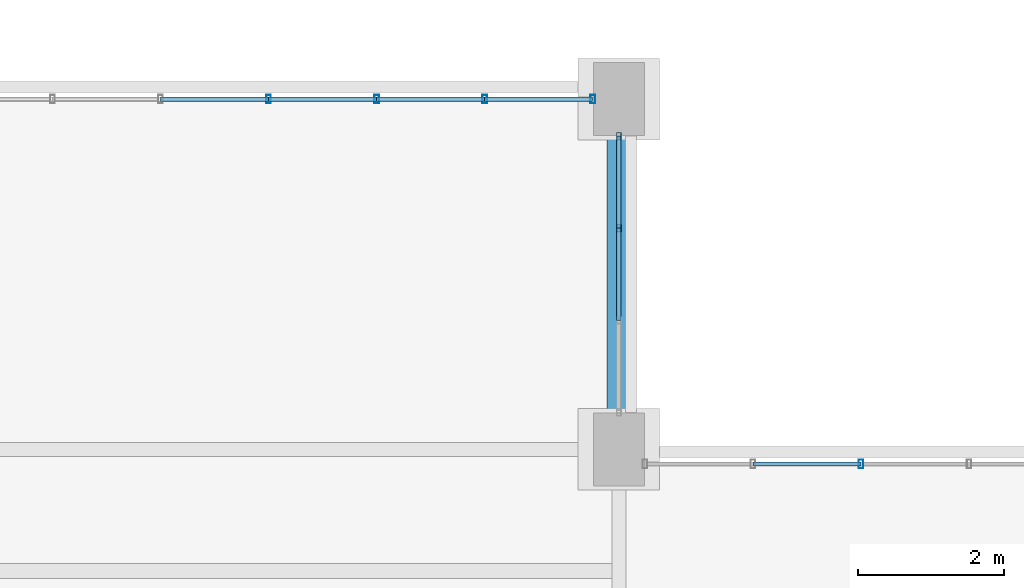
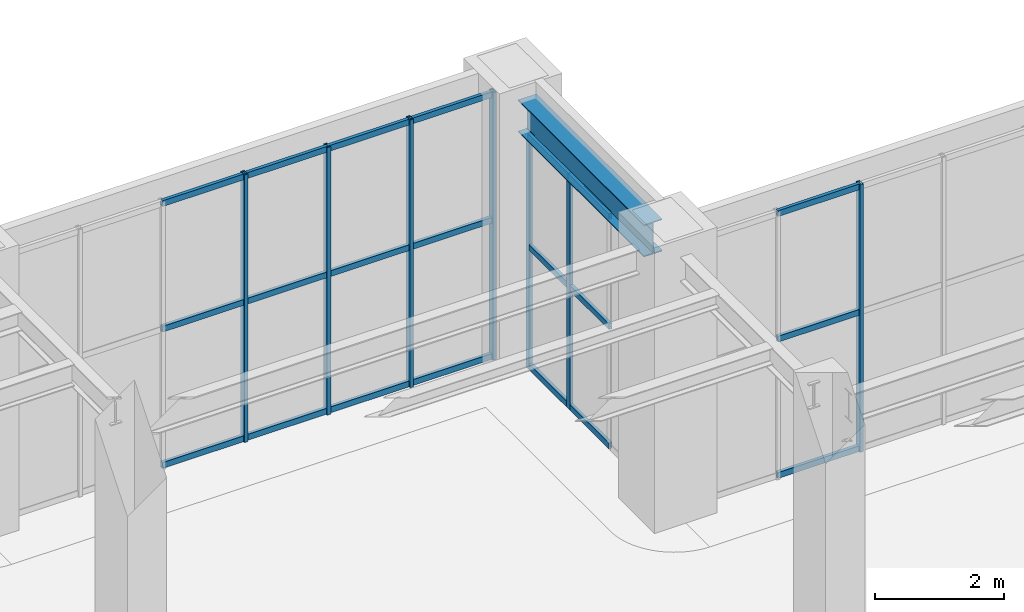
# One storey, part 113 of 164: 28 members, 1 beam, 3 elements without a shape of their own.
"""IFC4 building model written with IfcOpenShell, lengths in metres."""

from ifc_helpers import new_model, si_unit, direction, frame, origin, origin_2d, place, context, subcontext, project, spatial, hollow_rectangle, i_section, extrude, material, material_profile, profile_set, type_object, element, aggregate, save


model = new_model("IFC4")

# Units and contexts
model_context = context("Model", 3, precision=1e-05, world=origin(), true_north=direction((0.0, 1.0)))
body_context = subcontext(model_context, "Body", "Model", "MODEL_VIEW")
ifc_project = project(units=[si_unit("LENGTHUNIT", "METRE"), si_unit("AREAUNIT", "SQUARE_METRE"), si_unit("VOLUMEUNIT", "CUBIC_METRE"), si_unit("PLANEANGLEUNIT", "RADIAN"), si_unit("MASSUNIT", "GRAM", prefix="KILO")], contexts=[model_context])

# Site, building, storey
site_placement = place(None, origin())
site = spatial("IfcSite", under=ifc_project, at=site_placement, CompositionType="ELEMENT")
building_placement = place(site_placement, origin())
building = spatial("IfcBuilding", under=site, at=building_placement, Name="Mavantir Sound Aquarium", CompositionType="ELEMENT")
storey_placement = place(building_placement, origin())
storey = spatial("IfcBuildingStorey", under=building, at=storey_placement, Name="L00", CompositionType="ELEMENT", Elevation=0.0)

# Beam
ifc_material_1 = material(Name="Structural Steel ASTM A992 Gr50", Category="steel")
ifc_material_profile_1 = material_profile(ifc_material_1, i_section(OverallWidth=0.323974609375, OverallDepth=0.611083984375, WebThickness=0.0126953125, FlangeThickness=0.01904296875, FilletRadius=0.01904296875, at=origin_2d()), Name="W610X155")
ifc_profile_set_1 = profile_set([ifc_material_profile_1], Name="Structural Steel ASTM A992 Gr50")
beam_type = type_object("IfcBeamType", Name="BM-W610X155-I", PredefinedType="BEAM", material=ifc_profile_set_1)
beam_placement = place(storey_placement, frame((165.60009765625, 66.25, 4.780517578125), z_axis=(0.0, 1.0, 0.0), x_axis=(-1.0, 0.0, 0.0)))
element("IfcBeam", 1, at=beam_placement, inside=storey, type_object=beam_type, Name="L00 primary girder SB-61A 1024", PredefinedType="BEAM", context=body_context, shape_type="SweptSolid", body=[
    extrude(i_section(OverallWidth=0.323974609375, OverallDepth=0.611083984375, WebThickness=0.0126953125, FlangeThickness=0.01904296875, FilletRadius=0.01904296875, at=origin_2d()), origin(), (0.0, 0.0, 1.0), 3.89990234375),
])

# Curtain wall, members
ifc_material_2 = material(Name="Anodised Marine Aluminium and Low-E Glass", Category="aluminium")
curtain_wall_type_1 = type_object("IfcCurtainWallType", Name="CW-T03", PredefinedType="USERDEFINED", material=ifc_material_2)
curtain_wall_1_placement = place(storey_placement, origin())
curtain_wall_1 = element("IfcCurtainWall", 2, at=curtain_wall_1_placement, inside=storey, type_object=curtain_wall_type_1, Name="L00 unitised curtain wall CW-03 27", ObjectType="UNITISED GLAZING", PredefinedType="USERDEFINED")
ifc_material_3 = material(Name="Anodised Marine Aluminium 6063-T6", Category="aluminium")
ifc_material_profile_2 = material_profile(ifc_material_3, hollow_rectangle(XDim=0.06005859375, YDim=0.10009765625, WallThickness=0.00390625, at=origin_2d()), Name="ALU-MULLION-100X60")
ifc_profile_set_2 = profile_set([ifc_material_profile_2], Name="Anodised Marine Aluminium 6063-T6")
member_type_1 = type_object("IfcMemberType", Name="CW-MUL-100", PredefinedType="MULLION", material=ifc_profile_set_2)
member_1_placement = place(storey_placement, frame((165.60009765625, 68.830810546875, 0.0), z_axis=(0.0, 0.0, 1.0), x_axis=(1.0, 0.0, 0.0)))
member_1 = element("IfcMember", 3, at=member_1_placement, type_object=member_type_1, Name="CW-L00-027 vertical mullion 3", PredefinedType="MULLION", context=body_context, shape_type="SweptSolid", body=[
    extrude(hollow_rectangle(XDim=0.06005859375, YDim=0.10009765625, WallThickness=0.00390625, at=origin_2d()), origin(), (0.0, 0.0, 1.0), 4.445068359375),
])
member_2_placement = place(storey_placement, frame((165.60009765625, 70.092041015625, 0.0), z_axis=(0.0, 0.0, 1.0), x_axis=(1.0, 0.0, 0.0)))
member_2 = element("IfcMember", 4, at=member_2_placement, type_object=member_type_1, Name="CW-L00-027 vertical mullion 4", PredefinedType="MULLION", context=body_context, shape_type="SweptSolid", body=[
    extrude(hollow_rectangle(XDim=0.06005859375, YDim=0.10009765625, WallThickness=0.00390625, at=origin_2d()), origin(), (0.0, 0.0, 1.0), 4.445068359375),
])

# Curtain wall, member
curtain_wall_type_2 = type_object("IfcCurtainWallType", Name="CW-T02", PredefinedType="USERDEFINED", material=ifc_material_2)
curtain_wall_2_placement = place(storey_placement, origin())
curtain_wall_2 = element("IfcCurtainWall", 5, at=curtain_wall_2_placement, inside=storey, type_object=curtain_wall_type_2, Name="L00 unitised curtain wall CW-02 26", ObjectType="UNITISED GLAZING", PredefinedType="USERDEFINED")
ifc_material_profile_3 = material_profile(ifc_material_3, hollow_rectangle(XDim=0.06494140625, YDim=0.1201171875, WallThickness=0.00390625, at=origin_2d()), Name="ALU-MULLION-120X65")
ifc_profile_set_3 = profile_set([ifc_material_profile_3], Name="Anodised Marine Aluminium 6063-T6")
member_type_2 = type_object("IfcMemberType", Name="CW-MUL-120", PredefinedType="MULLION", material=ifc_profile_set_3)
member_3_placement = place(storey_placement, frame((168.919189453125, 65.60009765625, 0.0), z_axis=(0.0, 0.0, 1.0), x_axis=(1.0, 0.0, 0.0)))
member_3 = element("IfcMember", 6, at=member_3_placement, type_object=member_type_2, Name="CW-L00-026 vertical mullion 5", PredefinedType="MULLION", context=body_context, shape_type="SweptSolid", body=[
    extrude(hollow_rectangle(XDim=0.06494140625, YDim=0.1201171875, WallThickness=0.00390625, at=origin_2d()), origin(), (0.0, 0.0, 1.0), 5.06005859375),
])

# Curtain wall, members
curtain_wall_type_3 = type_object("IfcCurtainWallType", Name="CW-T04", PredefinedType="USERDEFINED", material=ifc_material_2)
curtain_wall_3_placement = place(storey_placement, origin())
curtain_wall_3 = element("IfcCurtainWall", 7, at=curtain_wall_3_placement, inside=storey, type_object=curtain_wall_type_3, Name="L00 unitised curtain wall CW-04 28", ObjectType="UNITISED GLAZING", PredefinedType="USERDEFINED")
member_4_placement = place(storey_placement, frame((165.241943359375, 70.60009765625, 0.0), z_axis=(0.0, 0.0, 1.0), x_axis=(1.0, 0.0, 0.0)))
member_4 = element("IfcMember", 8, at=member_4_placement, type_object=member_type_2, Name="CW-L00-028 vertical mullion 1", PredefinedType="MULLION", context=body_context, shape_type="SweptSolid", body=[
    extrude(hollow_rectangle(XDim=0.06494140625, YDim=0.1201171875, WallThickness=0.00390625, at=origin_2d()), origin(), (0.0, 0.0, 1.0), 5.06005859375),
])
member_5_placement = place(storey_placement, frame((163.76123046875, 70.60009765625, 0.0), z_axis=(0.0, 0.0, 1.0), x_axis=(1.0, 0.0, 0.0)))
member_5 = element("IfcMember", 9, at=member_5_placement, type_object=member_type_2, Name="CW-L00-028 vertical mullion 2", PredefinedType="MULLION", context=body_context, shape_type="SweptSolid", body=[
    extrude(hollow_rectangle(XDim=0.06494140625, YDim=0.1201171875, WallThickness=0.00390625, at=origin_2d()), origin(), (0.0, 0.0, 1.0), 5.06005859375),
])
member_6_placement = place(storey_placement, frame((162.28076171875, 70.60009765625, 0.0), z_axis=(0.0, 0.0, 1.0), x_axis=(1.0, 0.0, 0.0)))
member_6 = element("IfcMember", 10, at=member_6_placement, type_object=member_type_2, Name="CW-L00-028 vertical mullion 3", PredefinedType="MULLION", context=body_context, shape_type="SweptSolid", body=[
    extrude(hollow_rectangle(XDim=0.06494140625, YDim=0.1201171875, WallThickness=0.00390625, at=origin_2d()), origin(), (0.0, 0.0, 1.0), 5.06005859375),
])
member_7_placement = place(storey_placement, frame((160.800048828125, 70.60009765625, 0.0), z_axis=(0.0, 0.0, 1.0), x_axis=(1.0, 0.0, 0.0)))
member_7 = element("IfcMember", 11, at=member_7_placement, type_object=member_type_2, Name="CW-L00-028 vertical mullion 4", PredefinedType="MULLION", context=body_context, shape_type="SweptSolid", body=[
    extrude(hollow_rectangle(XDim=0.06494140625, YDim=0.1201171875, WallThickness=0.00390625, at=origin_2d()), origin(), (0.0, 0.0, 1.0), 5.06005859375),
])

# Member
ifc_material_profile_4 = material_profile(ifc_material_3, hollow_rectangle(XDim=0.06005859375, YDim=0.110107421875, WallThickness=0.00390625, at=origin_2d()), Name="ALU-TRANSOM-110X60")
ifc_profile_set_4 = profile_set([ifc_material_profile_4], Name="Anodised Marine Aluminium 6063-T6")
member_type_3 = type_object("IfcMemberType", Name="CW-TRN-110", PredefinedType="USERDEFINED", material=ifc_profile_set_4)
member_8_placement = place(storey_placement, frame((168.919189453125, 65.60009765625, 0.054931640625), z_axis=(-1.0, 0.0, 0.0), x_axis=(0.0, -1.0, 0.0)))
member_8 = element("IfcMember", 12, at=member_8_placement, type_object=member_type_3, Name="CW-L00-026 transom 5.1", ObjectType="TRANSOM", PredefinedType="USERDEFINED", context=body_context, shape_type="SweptSolid", body=[
    extrude(hollow_rectangle(XDim=0.06005859375, YDim=0.110107421875, WallThickness=0.00390625, at=origin_2d()), origin(), (0.0, 0.0, 1.0), 1.48046875),
])

member_9_placement = place(storey_placement, frame((168.919189453125, 65.60009765625, 2.631103515625), z_axis=(-1.0, 0.0, 0.0), x_axis=(0.0, -1.0, 0.0)))
member_9 = element("IfcMember", 13, at=member_9_placement, type_object=member_type_3, Name="CW-L00-026 transom 5.2", ObjectType="TRANSOM", PredefinedType="USERDEFINED", context=body_context, shape_type="SweptSolid", body=[
    extrude(hollow_rectangle(XDim=0.06005859375, YDim=0.110107421875, WallThickness=0.00390625, at=origin_2d()), origin(), (0.0, 0.0, 1.0), 1.48046875),
])

member_10_placement = place(storey_placement, frame((168.919189453125, 65.60009765625, 5.0048828125), z_axis=(-1.0, 0.0, 0.0), x_axis=(0.0, -1.0, 0.0)))
member_10 = element("IfcMember", 14, at=member_10_placement, type_object=member_type_3, Name="CW-L00-026 transom 5.3", ObjectType="TRANSOM", PredefinedType="USERDEFINED", context=body_context, shape_type="SweptSolid", body=[
    extrude(hollow_rectangle(XDim=0.06005859375, YDim=0.110107421875, WallThickness=0.00390625, at=origin_2d()), origin(), (0.0, 0.0, 1.0), 1.48046875),
])

aggregate(curtain_wall_2, [member_3, member_8, member_9, member_10])

member_11_placement = place(storey_placement, frame((165.60009765625, 67.5693359375, 0.054931640625), z_axis=(0.0, 1.0, 0.0), x_axis=(-1.0, 0.0, 0.0)))
member_11 = element("IfcMember", 15, at=member_11_placement, type_object=member_type_3, Name="CW-L00-027 transom 2.1", ObjectType="TRANSOM", PredefinedType="USERDEFINED", context=body_context, shape_type="SweptSolid", body=[
    extrude(hollow_rectangle(XDim=0.06005859375, YDim=0.110107421875, WallThickness=0.00390625, at=origin_2d()), origin(), (0.0, 0.0, 1.0), 1.261474609375),
])

member_12_placement = place(storey_placement, frame((165.60009765625, 67.5693359375, 2.311279296875), z_axis=(0.0, 1.0, 0.0), x_axis=(-1.0, 0.0, 0.0)))
member_12 = element("IfcMember", 16, at=member_12_placement, type_object=member_type_3, Name="CW-L00-027 transom 2.2", ObjectType="TRANSOM", PredefinedType="USERDEFINED", context=body_context, shape_type="SweptSolid", body=[
    extrude(hollow_rectangle(XDim=0.06005859375, YDim=0.110107421875, WallThickness=0.00390625, at=origin_2d()), origin(), (0.0, 0.0, 1.0), 1.261474609375),
])

member_13_placement = place(storey_placement, frame((165.60009765625, 67.5693359375, 4.389892578125), z_axis=(0.0, 1.0, 0.0), x_axis=(-1.0, 0.0, 0.0)))
member_13 = element("IfcMember", 17, at=member_13_placement, type_object=member_type_3, Name="CW-L00-027 transom 2.3", ObjectType="TRANSOM", PredefinedType="USERDEFINED", context=body_context, shape_type="SweptSolid", body=[
    extrude(hollow_rectangle(XDim=0.06005859375, YDim=0.110107421875, WallThickness=0.00390625, at=origin_2d()), origin(), (0.0, 0.0, 1.0), 1.261474609375),
])

member_14_placement = place(storey_placement, frame((165.60009765625, 68.830810546875, 0.054931640625), z_axis=(0.0, 1.0, 0.0), x_axis=(-1.0, 0.0, 0.0)))
member_14 = element("IfcMember", 18, at=member_14_placement, type_object=member_type_3, Name="CW-L00-027 transom 3.1", ObjectType="TRANSOM", PredefinedType="USERDEFINED", context=body_context, shape_type="SweptSolid", body=[
    extrude(hollow_rectangle(XDim=0.06005859375, YDim=0.110107421875, WallThickness=0.00390625, at=origin_2d()), origin(), (0.0, 0.0, 1.0), 1.26123046875),
])

member_15_placement = place(storey_placement, frame((165.60009765625, 68.830810546875, 2.311279296875), z_axis=(0.0, 1.0, 0.0), x_axis=(-1.0, 0.0, 0.0)))
member_15 = element("IfcMember", 19, at=member_15_placement, type_object=member_type_3, Name="CW-L00-027 transom 3.2", ObjectType="TRANSOM", PredefinedType="USERDEFINED", context=body_context, shape_type="SweptSolid", body=[
    extrude(hollow_rectangle(XDim=0.06005859375, YDim=0.110107421875, WallThickness=0.00390625, at=origin_2d()), origin(), (0.0, 0.0, 1.0), 1.26123046875),
])

member_16_placement = place(storey_placement, frame((165.60009765625, 68.830810546875, 4.389892578125), z_axis=(0.0, 1.0, 0.0), x_axis=(-1.0, 0.0, 0.0)))
member_16 = element("IfcMember", 20, at=member_16_placement, type_object=member_type_3, Name="CW-L00-027 transom 3.3", ObjectType="TRANSOM", PredefinedType="USERDEFINED", context=body_context, shape_type="SweptSolid", body=[
    extrude(hollow_rectangle(XDim=0.06005859375, YDim=0.110107421875, WallThickness=0.00390625, at=origin_2d()), origin(), (0.0, 0.0, 1.0), 1.26123046875),
])

aggregate(curtain_wall_1, [member_1, member_2, member_11, member_12, member_13, member_14, member_15, member_16])

member_17_placement = place(storey_placement, frame((165.241943359375, 70.60009765625, 0.054931640625), z_axis=(-1.0, 0.0, 0.0), x_axis=(0.0, -1.0, 0.0)))
member_17 = element("IfcMember", 21, at=member_17_placement, type_object=member_type_3, Name="CW-L00-028 transom 1.1", ObjectType="TRANSOM", PredefinedType="USERDEFINED", context=body_context, shape_type="SweptSolid", body=[
    extrude(hollow_rectangle(XDim=0.06005859375, YDim=0.110107421875, WallThickness=0.00390625, at=origin_2d()), origin(), (0.0, 0.0, 1.0), 1.480712890625),
])

member_18_placement = place(storey_placement, frame((165.241943359375, 70.60009765625, 2.631103515625), z_axis=(-1.0, 0.0, 0.0), x_axis=(0.0, -1.0, 0.0)))
member_18 = element("IfcMember", 22, at=member_18_placement, type_object=member_type_3, Name="CW-L00-028 transom 1.2", ObjectType="TRANSOM", PredefinedType="USERDEFINED", context=body_context, shape_type="SweptSolid", body=[
    extrude(hollow_rectangle(XDim=0.06005859375, YDim=0.110107421875, WallThickness=0.00390625, at=origin_2d()), origin(), (0.0, 0.0, 1.0), 1.480712890625),
])

member_19_placement = place(storey_placement, frame((165.241943359375, 70.60009765625, 5.0048828125), z_axis=(-1.0, 0.0, 0.0), x_axis=(0.0, -1.0, 0.0)))
member_19 = element("IfcMember", 23, at=member_19_placement, type_object=member_type_3, Name="CW-L00-028 transom 1.3", ObjectType="TRANSOM", PredefinedType="USERDEFINED", context=body_context, shape_type="SweptSolid", body=[
    extrude(hollow_rectangle(XDim=0.06005859375, YDim=0.110107421875, WallThickness=0.00390625, at=origin_2d()), origin(), (0.0, 0.0, 1.0), 1.480712890625),
])

member_20_placement = place(storey_placement, frame((163.76123046875, 70.60009765625, 0.054931640625), z_axis=(-1.0, 0.0, 0.0), x_axis=(0.0, -1.0, 0.0)))
member_20 = element("IfcMember", 24, at=member_20_placement, type_object=member_type_3, Name="CW-L00-028 transom 2.1", ObjectType="TRANSOM", PredefinedType="USERDEFINED", context=body_context, shape_type="SweptSolid", body=[
    extrude(hollow_rectangle(XDim=0.06005859375, YDim=0.110107421875, WallThickness=0.00390625, at=origin_2d()), origin(), (0.0, 0.0, 1.0), 1.48046875),
])

member_21_placement = place(storey_placement, frame((163.76123046875, 70.60009765625, 2.631103515625), z_axis=(-1.0, 0.0, 0.0), x_axis=(0.0, -1.0, 0.0)))
member_21 = element("IfcMember", 25, at=member_21_placement, type_object=member_type_3, Name="CW-L00-028 transom 2.2", ObjectType="TRANSOM", PredefinedType="USERDEFINED", context=body_context, shape_type="SweptSolid", body=[
    extrude(hollow_rectangle(XDim=0.06005859375, YDim=0.110107421875, WallThickness=0.00390625, at=origin_2d()), origin(), (0.0, 0.0, 1.0), 1.48046875),
])

member_22_placement = place(storey_placement, frame((163.76123046875, 70.60009765625, 5.0048828125), z_axis=(-1.0, 0.0, 0.0), x_axis=(0.0, -1.0, 0.0)))
member_22 = element("IfcMember", 26, at=member_22_placement, type_object=member_type_3, Name="CW-L00-028 transom 2.3", ObjectType="TRANSOM", PredefinedType="USERDEFINED", context=body_context, shape_type="SweptSolid", body=[
    extrude(hollow_rectangle(XDim=0.06005859375, YDim=0.110107421875, WallThickness=0.00390625, at=origin_2d()), origin(), (0.0, 0.0, 1.0), 1.48046875),
])

member_23_placement = place(storey_placement, frame((162.28076171875, 70.60009765625, 0.054931640625), z_axis=(-1.0, 0.0, 0.0), x_axis=(0.0, -1.0, 0.0)))
member_23 = element("IfcMember", 27, at=member_23_placement, type_object=member_type_3, Name="CW-L00-028 transom 3.1", ObjectType="TRANSOM", PredefinedType="USERDEFINED", context=body_context, shape_type="SweptSolid", body=[
    extrude(hollow_rectangle(XDim=0.06005859375, YDim=0.110107421875, WallThickness=0.00390625, at=origin_2d()), origin(), (0.0, 0.0, 1.0), 1.480712890625),
])

member_24_placement = place(storey_placement, frame((162.28076171875, 70.60009765625, 2.631103515625), z_axis=(-1.0, 0.0, 0.0), x_axis=(0.0, -1.0, 0.0)))
member_24 = element("IfcMember", 28, at=member_24_placement, type_object=member_type_3, Name="CW-L00-028 transom 3.2", ObjectType="TRANSOM", PredefinedType="USERDEFINED", context=body_context, shape_type="SweptSolid", body=[
    extrude(hollow_rectangle(XDim=0.06005859375, YDim=0.110107421875, WallThickness=0.00390625, at=origin_2d()), origin(), (0.0, 0.0, 1.0), 1.480712890625),
])

member_25_placement = place(storey_placement, frame((162.28076171875, 70.60009765625, 5.0048828125), z_axis=(-1.0, 0.0, 0.0), x_axis=(0.0, -1.0, 0.0)))
member_25 = element("IfcMember", 29, at=member_25_placement, type_object=member_type_3, Name="CW-L00-028 transom 3.3", ObjectType="TRANSOM", PredefinedType="USERDEFINED", context=body_context, shape_type="SweptSolid", body=[
    extrude(hollow_rectangle(XDim=0.06005859375, YDim=0.110107421875, WallThickness=0.00390625, at=origin_2d()), origin(), (0.0, 0.0, 1.0), 1.480712890625),
])

member_26_placement = place(storey_placement, frame((160.800048828125, 70.60009765625, 0.054931640625), z_axis=(-1.0, 0.0, 0.0), x_axis=(0.0, -1.0, 0.0)))
member_26 = element("IfcMember", 30, at=member_26_placement, type_object=member_type_3, Name="CW-L00-028 transom 4.1", ObjectType="TRANSOM", PredefinedType="USERDEFINED", context=body_context, shape_type="SweptSolid", body=[
    extrude(hollow_rectangle(XDim=0.06005859375, YDim=0.110107421875, WallThickness=0.00390625, at=origin_2d()), origin(), (0.0, 0.0, 1.0), 1.480712890625),
])

member_27_placement = place(storey_placement, frame((160.800048828125, 70.60009765625, 2.631103515625), z_axis=(-1.0, 0.0, 0.0), x_axis=(0.0, -1.0, 0.0)))
member_27 = element("IfcMember", 31, at=member_27_placement, type_object=member_type_3, Name="CW-L00-028 transom 4.2", ObjectType="TRANSOM", PredefinedType="USERDEFINED", context=body_context, shape_type="SweptSolid", body=[
    extrude(hollow_rectangle(XDim=0.06005859375, YDim=0.110107421875, WallThickness=0.00390625, at=origin_2d()), origin(), (0.0, 0.0, 1.0), 1.480712890625),
])

member_28_placement = place(storey_placement, frame((160.800048828125, 70.60009765625, 5.0048828125), z_axis=(-1.0, 0.0, 0.0), x_axis=(0.0, -1.0, 0.0)))
member_28 = element("IfcMember", 32, at=member_28_placement, type_object=member_type_3, Name="CW-L00-028 transom 4.3", ObjectType="TRANSOM", PredefinedType="USERDEFINED", context=body_context, shape_type="SweptSolid", body=[
    extrude(hollow_rectangle(XDim=0.06005859375, YDim=0.110107421875, WallThickness=0.00390625, at=origin_2d()), origin(), (0.0, 0.0, 1.0), 1.480712890625),
])

aggregate(curtain_wall_3, [member_4, member_5, member_6, member_7, member_17, member_18, member_19, member_20, member_21, member_22, member_23, member_24, member_25, member_26, member_27, member_28])

save(model, "model.ifc")
